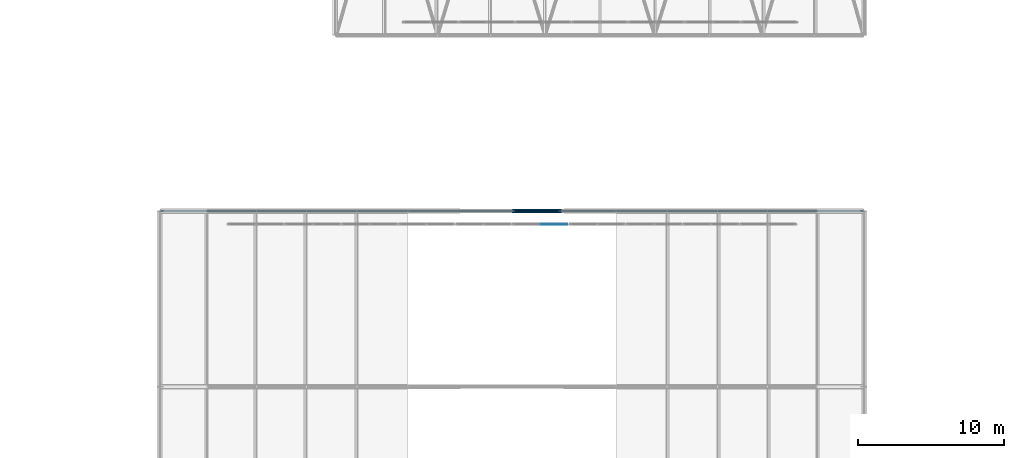
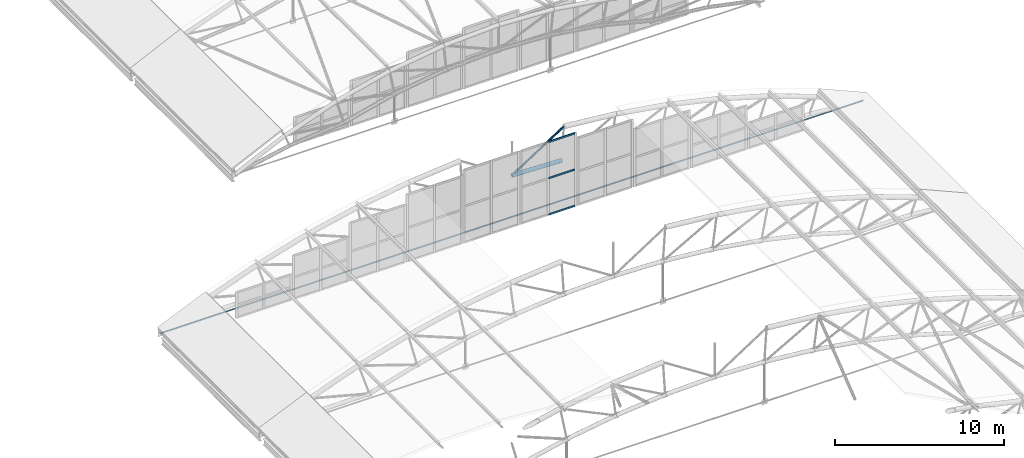
# One storey, part 142 of 321: 6 members, 1 element without a shape of its own.
"""IFC4 building model written with IfcOpenShell, lengths in metres."""

import ifcopenshell
import ifcopenshell.guid

model = None  # the IFC model being written
_history = None  # IfcOwnerHistory: only IFC2X3 demands one
_inside = {}  # id of a spatial element -> (the spatial element, [elements in it])
_under = {}  # id of a project, library or spatial element -> (it, [spatial elements below it])
_declared = {}  # id of a project -> (the project, [libraries it declares])
_typed = {}  # id of a type object -> (the type object, [elements of that type])
_made_of = {}  # id of a material, layer set ... -> (it, [elements and type objects made of it])


def new_model(schema):
    """Start an empty IFC model of exactly this schema.

    Asked for "IFC4X3", IfcOpenShell would pick the latest addendum, in which some entities
    have other attributes; the version numbers below select the first issue.
    IFC2X3 requires an IfcOwnerHistory on every rooted entity: one is made here for all.
    """
    global model, _history
    if schema == "IFC4X3":
        model = ifcopenshell.file(schema_version=(4, 3, 0, 0))
    else:
        model = ifcopenshell.file(schema=schema)
    _inside.clear()
    _under.clear()
    _declared.clear()
    _typed.clear()
    _made_of.clear()
    _history = None
    if model.schema == "IFC2X3":
        org = make("IfcOrganization", Name="unknown")
        user = make(
            "IfcPersonAndOrganization",
            ThePerson=make("IfcPerson", FamilyName="unknown"),
            TheOrganization=org,
        )
        app = make(
            "IfcApplication",
            ApplicationDeveloper=org,
            Version="unknown",
            ApplicationFullName="unknown",
            ApplicationIdentifier="unknown",
        )
        _history = make(
            "IfcOwnerHistory",
            OwningUser=user,
            OwningApplication=app,
            ChangeAction="ADDED",
            CreationDate=0,
        )
    return model


def make(cls, **values):
    """One entity of the class cls with the attributes given. An attribute that is None is left unset."""
    return model.create_entity(
        cls, **{name: value for name, value in values.items() if value is not None}
    )


def rooted(cls, **values):
    """An entity with a GlobalId (a new one), such as an element, a storey or a relation."""
    return make(cls, GlobalId=ifcopenshell.guid.new(), OwnerHistory=_history, **values)


def si_unit(unit_type, name, prefix=None):
    """IfcSIUnit, for example si_unit("LENGTHUNIT", "METRE", prefix="MILLI")."""
    return make("IfcSIUnit", UnitType=unit_type, Prefix=prefix, Name=name)


def assignment(units):
    """IfcUnitAssignment: the units of a project."""
    return None if units is None else make("IfcUnitAssignment", Units=units)


def point(xyz):
    """IfcCartesianPoint."""
    return None if xyz is None else make("IfcCartesianPoint", Coordinates=xyz)


def direction(xyz):
    """IfcDirection."""
    return None if xyz is None else make("IfcDirection", DirectionRatios=xyz)


def frame(location, z_axis=None, x_axis=None):
    """IfcAxis2Placement3D, a coordinate frame: its origin and axes. An axis left out is left unset."""
    return make(
        "IfcAxis2Placement3D",
        Location=point(location),
        Axis=direction(z_axis),
        RefDirection=direction(x_axis),
    )


def frame_2d(location, x_axis=None):
    """IfcAxis2Placement2D, a coordinate frame in the plane: its origin and x axis."""
    return make(
        "IfcAxis2Placement2D", Location=point(location), RefDirection=direction(x_axis)
    )


def origin():
    """The frame at (0, 0, 0) with its axes left unset."""
    return frame((0.0, 0.0, 0.0))


def origin_2d():
    """The frame at (0, 0) in the plane with its x axis left unset."""
    return frame_2d((0.0, 0.0))


def place(relative_to, where):
    """IfcLocalPlacement: puts the frame where relative to a parent placement (None: the world)."""
    return make(
        "IfcLocalPlacement", PlacementRelTo=relative_to, RelativePlacement=where
    )


def context(
    kind, dimensions, precision=None, world=None, true_north=None, identifier=None
):
    """IfcGeometricRepresentationContext, for example the 3D "Model" context."""
    return make(
        "IfcGeometricRepresentationContext",
        ContextIdentifier=identifier,
        ContextType=kind,
        CoordinateSpaceDimension=dimensions,
        Precision=precision,
        WorldCoordinateSystem=world,
        TrueNorth=true_north,
    )


def subcontext(parent, identifier, kind, view, scale=None):
    """IfcGeometricRepresentationSubContext, for example "Body" below "Model"."""
    return make(
        "IfcGeometricRepresentationSubContext",
        ContextIdentifier=identifier,
        ContextType=kind,
        ParentContext=parent,
        TargetScale=scale,
        TargetView=view,
    )


def project(units=None, contexts=None):
    """IfcProject with its units and contexts."""
    return rooted(
        "IfcProject",
        Name="project",
        RepresentationContexts=contexts,
        UnitsInContext=assignment(units),
    )


def spatial(cls, under=None, at=None, **own):
    """A site, building, storey or space (cls), placed at a placement, below another one or the project."""
    s = rooted(cls, ObjectPlacement=at, **own)
    if under is not None:
        _under.setdefault(under.id(), (under, []))[1].append(s)
    return s


def profile(cls, at=None, kind="AREA", **sizes):
    """A parametric profile (cls). Its sizes go by their IFC names, for example OverallWidth=200.0."""
    return make(cls, ProfileType=kind, Position=at, **sizes)


def rectangle(**sizes):
    """IfcRectangleProfileDef."""
    return profile("IfcRectangleProfileDef", **sizes)


def circle(**sizes):
    """IfcCircleProfileDef."""
    return profile("IfcCircleProfileDef", **sizes)


def hollow_circle(**sizes):
    """IfcCircleHollowProfileDef."""
    return profile("IfcCircleHollowProfileDef", **sizes)


def extrude(swept, where, along, depth):
    """IfcExtrudedAreaSolid: the profile swept, set in the frame where, extruded along a direction by depth."""
    return make(
        "IfcExtrudedAreaSolid",
        SweptArea=swept,
        Position=where,
        ExtrudedDirection=direction(along),
        Depth=depth,
    )


def shape(context_of_items, identifier, shape_type, items):
    """IfcShapeRepresentation: the items that make up one representation, for example the "Body"."""
    return make(
        "IfcShapeRepresentation",
        ContextOfItems=context_of_items,
        RepresentationIdentifier=identifier,
        RepresentationType=shape_type,
        Items=items,
    )


def material(Name=None, Category=None):
    """IfcMaterial."""
    return make("IfcMaterial", Name=Name, Category=Category)


def layer(
    of_material, thickness, ventilated=None, Name=None, Category=None, Priority=None
):
    """IfcMaterialLayer: one layer of a wall or slab, of a material (None: an air gap)."""
    return make(
        "IfcMaterialLayer",
        Material=of_material,
        LayerThickness=thickness,
        IsVentilated=ventilated,
        Name=Name,
        Category=Category,
        Priority=Priority,
    )


def layer_set(layers, Name=None):
    """IfcMaterialLayerSet."""
    return make("IfcMaterialLayerSet", MaterialLayers=layers, LayerSetName=Name)


def material_profile(
    of_material, cross_section, Name=None, Category=None, Priority=None
):
    """IfcMaterialProfile: a cross section and its material."""
    return make(
        "IfcMaterialProfile",
        Name=Name,
        Material=of_material,
        Profile=cross_section,
        Priority=Priority,
        Category=Category,
    )


def profile_set(profiles, Name=None, composite=None):
    """IfcMaterialProfileSet."""
    return make(
        "IfcMaterialProfileSet",
        Name=Name,
        MaterialProfiles=profiles,
        CompositeProfile=composite,
    )


def made_of(thing, what):
    """Note that an element or type object is made of a material, layer set ...; save() writes the relation."""
    if what is not None:
        _made_of.setdefault(what.id(), (what, []))[1].append(thing)
    return thing


def type_object(cls, material=None, **own):
    """A type object (cls), such as IfcWallType, which elements share."""
    return made_of(rooted(cls, **own), material)


def element(
    cls,
    number,
    at=None,
    inside=None,
    cuts=None,
    type_object=None,
    material=None,
    context=None,
    identifier="Body",
    shape_type=None,
    held_by="IfcProductDefinitionShape",
    body=None,
    shapes=None,
    **own,
):
    """One element of the class cls, such as IfcWall. Its Tag is "e" and its number.

    at: its placement. inside: the storey or other place that contains it. cuts: it is an
    opening in that element (IfcRelVoidsElement). A single representation is given by context,
    identifier, shape_type and body (its items); several are given by shapes. held_by: the class
    of the entity that holds the representations. save() writes the other relations.
    """
    e = rooted(cls, Tag="e%d" % number, ObjectPlacement=at, **own)
    if body is not None:
        shapes = [shape(context, identifier, shape_type, body)]
    if shapes is not None:
        e.Representation = make(held_by, Representations=shapes)
    if inside is not None:
        _inside.setdefault(inside.id(), (inside, []))[1].append(e)
    if cuts is not None:
        rooted(
            "IfcRelVoidsElement", RelatingBuildingElement=cuts, RelatedOpeningElement=e
        )
    if type_object is not None:
        _typed.setdefault(type_object.id(), (type_object, []))[1].append(e)
    return made_of(e, material)


def aggregate(whole, parts):
    """IfcRelAggregates: a whole, such as a stair, and the parts it consists of."""
    return rooted("IfcRelAggregates", RelatingObject=whole, RelatedObjects=parts)


def save(model, path):
    """Write the relations noted so far, then the file.

    IfcRelAggregates (storeys below a building ...), IfcRelContainedInSpatialStructure (elements
    in a storey), IfcRelDefinesByType, IfcRelAssociatesMaterial and IfcRelDeclares: one each for
    every whole, place, type object, material and project.
    """
    for whole, parts in _under.values():
        aggregate(whole, parts)
    for where, things in _inside.values():
        rooted(
            "IfcRelContainedInSpatialStructure",
            RelatedElements=things,
            RelatingStructure=where,
        )
    for kind, things in _typed.values():
        rooted("IfcRelDefinesByType", RelatedObjects=things, RelatingType=kind)
    for what, things in _made_of.values():
        rooted("IfcRelAssociatesMaterial", RelatedObjects=things, RelatingMaterial=what)
    for by, libraries in _declared.values():
        rooted("IfcRelDeclares", RelatingContext=by, RelatedDefinitions=libraries)
    model.write(path)


model = new_model("IFC4")

# Units and contexts
model_context = context("Model", 3, precision=1e-05, world=origin(), true_north=direction((0.0, 1.0)))
body_context = subcontext(model_context, "Body", "Model", "MODEL_VIEW")
ifc_project = project(units=[si_unit("LENGTHUNIT", "METRE"), si_unit("AREAUNIT", "SQUARE_METRE"), si_unit("VOLUMEUNIT", "CUBIC_METRE"), si_unit("PLANEANGLEUNIT", "RADIAN"), si_unit("MASSUNIT", "GRAM", prefix="KILO")], contexts=[model_context])

# Site, building, storey
site_placement = place(None, origin())
site = spatial("IfcSite", under=ifc_project, at=site_placement, CompositionType="ELEMENT")
building_placement = place(site_placement, origin())
building = spatial("IfcBuilding", under=site, at=building_placement, Name="Ravi Spectrum Wholesale Market", CompositionType="ELEMENT")
storey_placement = place(building_placement, frame((0.0, 0.0, 10.800048828125)))
storey = spatial("IfcBuildingStorey", under=building, at=storey_placement, Name="L02", CompositionType="ELEMENT", Elevation=10.800048828125)

# Members
ifc_material_1 = material(Name="Steel S355", Category="steel")
ifc_material_profile_1 = material_profile(ifc_material_1, hollow_circle(Radius=0.06982421875, WallThickness=0.0048828125, at=origin_2d()))
ifc_profile_set_1 = profile_set([ifc_material_profile_1], Name="Steel S355")
member_type_1 = type_object("IfcMemberType", Name="CHS 139.7x5 brace", PredefinedType="BRACE", material=ifc_profile_set_1)
member_1_placement = place(storey_placement, frame((177.540771484375, 126.0, 5.2880859375), z_axis=(-0.839894736946, 0.0, -0.542749325978), x_axis=(0.0, -1.0, 0.0)))
element("IfcMember", 1, at=member_1_placement, inside=storey, type_object=member_type_1, Name="H2-MB-L02-272", PredefinedType="BRACE", context=body_context, shape_type="SweptSolid", body=[
    extrude(hollow_circle(Radius=0.06982421875, WallThickness=0.0048828125, at=origin_2d()), origin(), (0.0, 0.0, 1.0), 4.2158203125),
])
ifc_material_2 = material(Name="Steel S355", Category="steel")
ifc_material_profile_2 = material_profile(ifc_material_2, hollow_circle(Radius=0.136474609375, WallThickness=0.010009765625, at=origin_2d()))
ifc_profile_set_2 = profile_set([ifc_material_profile_2], Name="Steel S355")
member_type_2 = type_object("IfcMemberType", Name="CHS 273x10 chord", PredefinedType="CHORD", material=ifc_profile_set_2)
member_2_placement = place(storey_placement, frame((174.0, 126.0, 3.0), z_axis=(0.999500345993, 0.0, -0.031607884447), x_axis=(0.0, 1.0, 0.0)))
element("IfcMember", 2, at=member_2_placement, inside=storey, type_object=member_type_2, Name="H2-MB-L02-246", PredefinedType="CHORD", context=body_context, shape_type="SweptSolid", body=[
    extrude(hollow_circle(Radius=0.136474609375, WallThickness=0.010009765625, at=origin_2d()), origin(), (0.0, 0.0, 1.0), 3.390869140625),
])
ifc_material_3 = material(Name="Steel S460", Category="steel")
ifc_material_profile_3 = material_profile(ifc_material_3, circle(Radius=0.034912109375, at=origin_2d()))
ifc_profile_set_3 = profile_set([ifc_material_profile_3], Name="Steel S460")
member_type_3 = type_object("IfcMemberType", Name="ROD 70 tie", PredefinedType="BRACE", material=ifc_profile_set_3)
member_3_placement = place(storey_placement, frame((150.0, 126.0, 0.0), z_axis=(1.0, 0.0, 0.0), x_axis=(0.0, 1.0, 0.0)))
element("IfcMember", 3, at=member_3_placement, inside=storey, type_object=member_type_3, Name="H2-MB-L02-278", PredefinedType="BRACE", context=body_context, shape_type="SweptSolid", body=[
    extrude(circle(Radius=0.034912109375, at=origin_2d()), origin(), (0.0, 0.0, 1.0), 48.0),
])

# Curtain wall, members
ifc_material_4 = material(Name="Aluminium 6063-T6", Category="aluminium")
ifc_layer = layer(ifc_material_4, 0.14990234375)
ifc_layer_set = layer_set([ifc_layer], Name="Aluminium 6063-T6")
curtain_wall_type = type_object("IfcCurtainWallType", Name="Curtain wall 150", PredefinedType="NOTDEFINED", material=ifc_layer_set)
curtain_wall_placement = place(storey_placement, origin())
curtain_wall = element("IfcCurtainWall", 4, at=curtain_wall_placement, inside=storey, type_object=curtain_wall_type, Name="H2-CW-L02-016", PredefinedType="NOTDEFINED")
ifc_material_5 = material(Name="Aluminium 6063-T6", Category="aluminium")
ifc_material_profile_4 = material_profile(ifc_material_5, rectangle(XDim=0.06005859375, YDim=0.1201171875, at=origin_2d()))
ifc_profile_set_4 = profile_set([ifc_material_profile_4], Name="Aluminium 6063-T6")
member_type_4 = type_object("IfcMemberType", Name="Transom 60 x 120", PredefinedType="USERDEFINED", material=ifc_profile_set_4)
member_4_placement = place(storey_placement, frame((175.97314453125, 125.10009765625, 0.030029296875), z_axis=(1.0, 0.0, 0.0), x_axis=(0.0, 1.0, 0.0)))
member_4 = element("IfcMember", 5, at=member_4_placement, type_object=member_type_4, Name="H2-CW-L02-016 transom 2.1", ObjectType="TRANSOM", PredefinedType="USERDEFINED", context=body_context, shape_type="SweptSolid", body=[
    extrude(rectangle(XDim=0.06005859375, YDim=0.1201171875, at=origin_2d()), origin(), (0.0, 0.0, 1.0), 1.81298828125),
])
member_5_placement = place(storey_placement, frame((175.97314453125, 125.10009765625, 2.64990234375), z_axis=(1.0, 0.0, 0.0), x_axis=(0.0, 1.0, 0.0)))
member_5 = element("IfcMember", 6, at=member_5_placement, type_object=member_type_4, Name="H2-CW-L02-016 transom 2.2", ObjectType="TRANSOM", PredefinedType="USERDEFINED", context=body_context, shape_type="SweptSolid", body=[
    extrude(rectangle(XDim=0.06005859375, YDim=0.1201171875, at=origin_2d()), origin(), (0.0, 0.0, 1.0), 1.81298828125),
])
member_6_placement = place(storey_placement, frame((175.97314453125, 125.10009765625, 5.27001953125), z_axis=(1.0, 0.0, 0.0), x_axis=(0.0, 1.0, 0.0)))
member_6 = element("IfcMember", 7, at=member_6_placement, type_object=member_type_4, Name="H2-CW-L02-016 transom 2.3", ObjectType="TRANSOM", PredefinedType="USERDEFINED", context=body_context, shape_type="SweptSolid", body=[
    extrude(rectangle(XDim=0.06005859375, YDim=0.1201171875, at=origin_2d()), origin(), (0.0, 0.0, 1.0), 1.81298828125),
])
aggregate(curtain_wall, [member_4, member_5, member_6])

save(model, "model.ifc")
